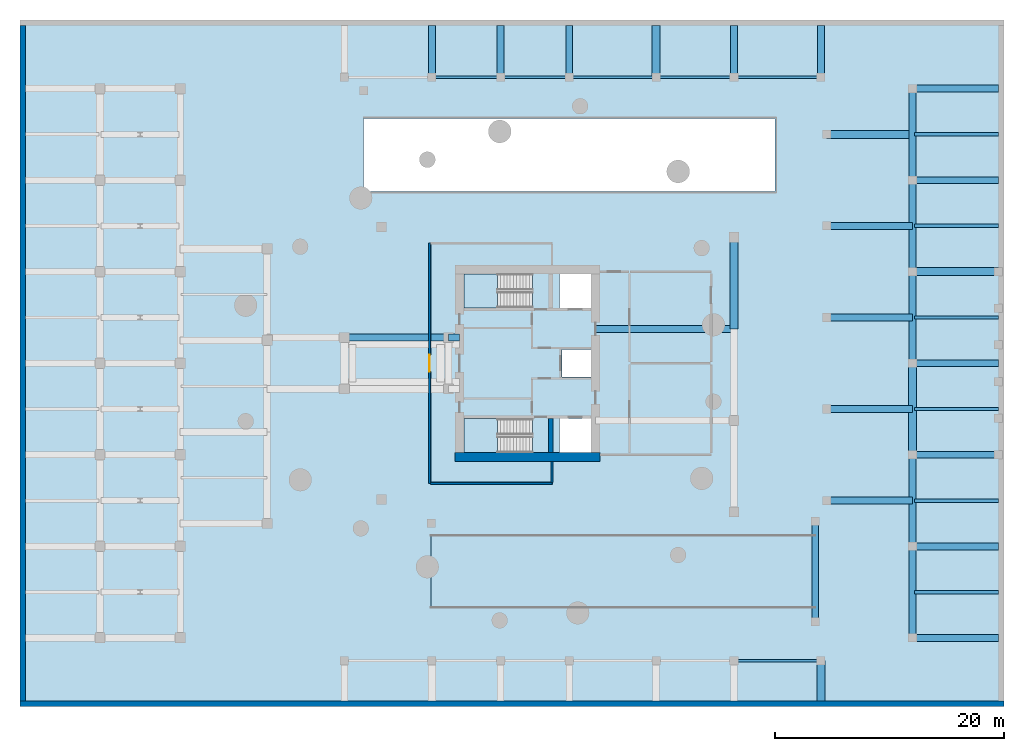
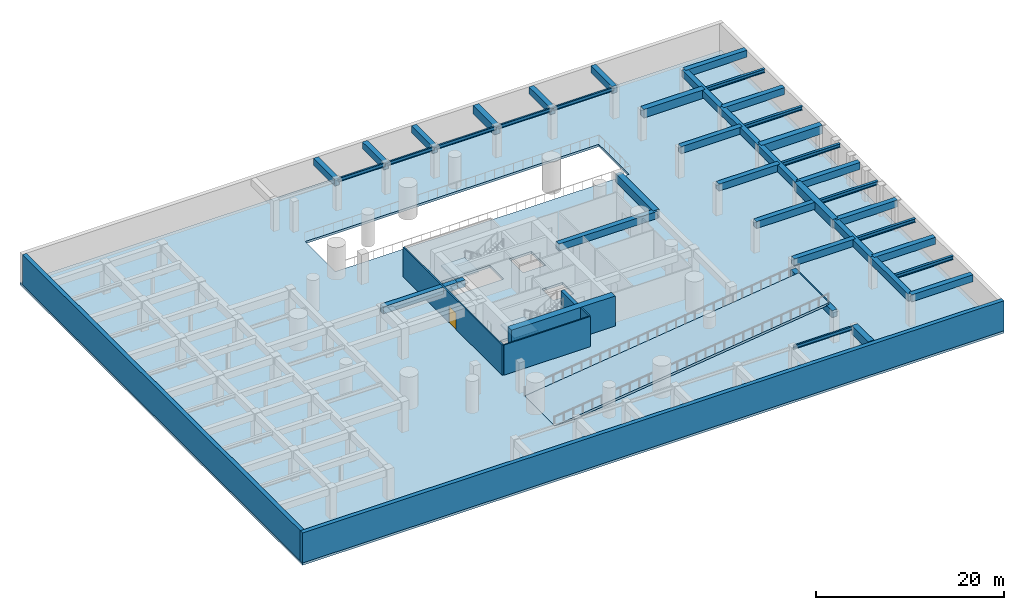
# One storey, part 5 of 10: 42 beams, 7 walls, 4 slabs, 1 door, 1 opening, 2 elements without a shape of their own.
"""IFC4 building model written with IfcOpenShell, lengths in metres."""

from ifc_helpers import new_model, si_unit, direction, frame, frame_2d, origin, origin_2d, place, context, subcontext, project, spatial, polyline, rectangle, i_section, outline, extrude, source, transform, mapped, material, layer, layer_set, material_profile, profile_set, type_object, element, fill, aggregate, save


model = new_model("IFC4")

# Units and contexts
model_context = context("Model", 3, precision=1e-05, world=origin(), true_north=direction((0.0, 1.0)))
body_context = subcontext(model_context, "Body", "Model", "MODEL_VIEW")
ifc_project = project(units=[si_unit("LENGTHUNIT", "METRE"), si_unit("AREAUNIT", "SQUARE_METRE"), si_unit("VOLUMEUNIT", "CUBIC_METRE"), si_unit("PLANEANGLEUNIT", "RADIAN"), si_unit("MASSUNIT", "GRAM", prefix="KILO")], contexts=[model_context])

# Site, building, storey
site_placement = place(None, origin())
site = spatial("IfcSite", under=ifc_project, at=site_placement, CompositionType="ELEMENT")
building_placement = place(site_placement, origin())
building = spatial("IfcBuilding", under=site, at=building_placement, Name="Qafzar Sky-Pleat Residences", CompositionType="ELEMENT")
storey_placement = place(building_placement, frame((0.0, 0.0, -4.199951171875)))
storey = spatial("IfcBuildingStorey", under=building, at=storey_placement, Name="B01", CompositionType="ELEMENT", Elevation=-4.199951171875)

# Beams
ifc_material_1 = material(Name="Concrete C50/60", Category="concrete")
ifc_material_profile_1 = material_profile(ifc_material_1, rectangle(XDim=0.60009765625, YDim=0.89990234375, at=origin_2d()), Name="RC 600x900")
ifc_profile_set_1 = profile_set([ifc_material_profile_1], Name="Concrete C50/60")
beam_type_1 = type_object("IfcBeamType", Name="BM-RC-600x900", PredefinedType="BEAM", material=ifc_profile_set_1)
shared_shape_1 = source(origin(), body_context, "Body", "SweptSolid", [
    extrude(rectangle(XDim=0.60009765625, YDim=0.89990234375, at=origin_2d()), origin(), (0.0, 0.0, 1.0), 8.0),
])
for number, where, z_axis, x_axis, name in (
    (1, (64.0, 2.0, 3.534912109375), (0.0, 1.0, 0.0), (-1.0, 0.0, 0.0), "B01 Basement Girder 63"),
    (2, (64.0, 10.0, 3.534912109375), (0.0, 1.0, 0.0), (-1.0, 0.0, 0.0), "B01 Basement Girder 64"),
    (3, (64.0, 26.0, 3.534912109375), (0.0, 1.0, 0.0), (-1.0, 0.0, 0.0), "B01 Basement Girder 66"),
    (4, (64.0, 34.0, 3.534912109375), (0.0, 1.0, 0.0), (-1.0, 0.0, 0.0), "B01 Basement Girder 67"),
    (5, (64.0, 42.0, 3.534912109375), (0.0, 1.0, 0.0), (-1.0, 0.0, 0.0), "B01 Basement Girder 68"),
):
    element("IfcBeam", number, at=place(storey_placement, frame(where, z_axis=z_axis, x_axis=x_axis)), inside=storey, type_object=beam_type_1, Name=name, PredefinedType="BEAM", context=body_context, shape_type="MappedRepresentation", body=[
        mapped(shared_shape_1, transform((0.0, 0.0, 0.0), x_axis=(1.0, 0.0, 0.0), y_axis=(0.0, 1.0, 0.0), z_axis=(0.0, 0.0, 1.0), scale=1.0)),
    ])
ifc_material_profile_2 = material_profile(ifc_material_1, rectangle(XDim=0.699951171875, YDim=1.10009765625, at=origin_2d()), Name="RC 700x1100")
ifc_profile_set_2 = profile_set([ifc_material_profile_2], Name="Concrete C50/60")
beam_type_2 = type_object("IfcBeamType", Name="BM-RC-700x1100", PredefinedType="BEAM", material=ifc_profile_set_2)
shared_shape_2 = source(origin(), body_context, "Body", "SweptSolid", [
    extrude(rectangle(XDim=0.699951171875, YDim=1.10009765625, at=origin_2d()), origin(), (0.0, 0.0, 1.0), 8.0),
])
for number, where, z_axis, x_axis, name in (
    (6, (48.39990234375, 29.0, 3.349853515625), (0.0, 1.0, 0.0), (-1.0, 0.0, 0.0), "B01 Basement Girder 50"),
    (7, (64.0, 18.0, 3.43505859375), (0.0, 1.0, 0.0), (-1.0, 0.0, 0.0), "B01 Basement Girder 65"),
):
    element("IfcBeam", number, at=place(storey_placement, frame(where, z_axis=z_axis, x_axis=x_axis)), inside=storey, type_object=beam_type_2, Name=name, PredefinedType="BEAM", context=body_context, shape_type="MappedRepresentation", body=[
        mapped(shared_shape_2, transform((0.0, 0.0, 0.0), x_axis=(1.0, 0.0, 0.0), y_axis=(0.0, 1.0, 0.0), z_axis=(0.0, 0.0, 1.0), scale=1.0)),
    ])
shared_shape_3 = source(origin(), body_context, "Body", "SweptSolid", [
    extrude(rectangle(XDim=0.60009765625, YDim=0.89990234375, at=origin_2d()), origin(), (0.0, 0.0, 1.0), 0.949951171875),
])
beam_1_placement = place(storey_placement, frame((23.449951171875, 28.25, 3.449951171875), z_axis=(1.0, 0.0, 0.0), x_axis=(0.0, 1.0, 0.0)))
element("IfcBeam", 8, at=beam_1_placement, inside=storey, type_object=beam_type_1, Name="B01 Basement Girder 39", PredefinedType="BEAM", context=body_context, shape_type="MappedRepresentation", body=[
    mapped(shared_shape_3, transform((0.0, 0.0, 0.0), x_axis=(1.0, 0.0, 0.0), y_axis=(0.0, 1.0, 0.0), z_axis=(0.0, 0.0, 1.0), scale=1.0)),
])
shared_shape_4 = source(origin(), body_context, "Body", "SweptSolid", [
    extrude(rectangle(XDim=0.60009765625, YDim=0.89990234375, at=origin_2d()), origin(), (0.0, 0.0, 1.0), 9.099853515625),
])
beam_2_placement = place(storey_placement, frame((14.35009765625, 28.25, 3.449951171875), z_axis=(1.0, 0.0, 0.0), x_axis=(0.0, 1.0, 0.0)))
element("IfcBeam", 9, at=beam_2_placement, inside=storey, type_object=beam_type_1, Name="B01 Basement Girder 38", PredefinedType="BEAM", context=body_context, shape_type="MappedRepresentation", body=[
    mapped(shared_shape_4, transform((0.0, 0.0, 0.0), x_axis=(1.0, 0.0, 0.0), y_axis=(0.0, 1.0, 0.0), z_axis=(0.0, 0.0, 1.0), scale=1.0)),
])
shared_shape_5 = source(origin(), body_context, "Body", "SweptSolid", [
    extrude(rectangle(XDim=0.699951171875, YDim=1.10009765625, at=origin_2d()), origin(), (0.0, 0.0, 1.0), 4.5),
])
beam_3_placement = place(storey_placement, frame((41.60009765625, 51.0, 3.349853515625), z_axis=(0.0, 1.0, 0.0), x_axis=(-1.0, 0.0, 0.0)))
element("IfcBeam", 10, at=beam_3_placement, inside=storey, type_object=beam_type_2, Name="B01 Basement Girder 80", PredefinedType="BEAM", context=body_context, shape_type="MappedRepresentation", body=[
    mapped(shared_shape_5, transform((0.0, 0.0, 0.0), x_axis=(1.0, 0.0, 0.0), y_axis=(0.0, 1.0, 0.0), z_axis=(0.0, 0.0, 1.0), scale=1.0)),
])
shared_shape_6 = source(origin(), body_context, "Body", "SweptSolid", [
    extrude(rectangle(XDim=0.60009765625, YDim=0.89990234375, at=origin_2d()), origin(), (0.0, 0.0, 1.0), 4.5),
])
for number, where, z_axis, x_axis, name in (
    (11, (22.0, 51.0, 3.449951171875), (0.0, 1.0, 0.0), (-1.0, 0.0, 0.0), "B01 Basement Girder 77"),
    (12, (28.0, 51.0, 3.449951171875), (0.0, 1.0, 0.0), (-1.0, 0.0, 0.0), "B01 Basement Girder 78"),
    (13, (34.0, 51.0, 3.449951171875), (0.0, 1.0, 0.0), (-1.0, 0.0, 0.0), "B01 Basement Girder 79"),
    (14, (48.39990234375, 51.0, 3.449951171875), (0.0, 1.0, 0.0), (-1.0, 0.0, 0.0), "B01 Basement Girder 81"),
    (15, (56.0, 51.0, 3.534912109375), (0.0, 1.0, 0.0), (-1.0, 0.0, 0.0), "B01 Basement Girder 82"),
):
    element("IfcBeam", number, at=place(storey_placement, frame(where, z_axis=z_axis, x_axis=x_axis)), inside=storey, type_object=beam_type_1, Name=name, PredefinedType="BEAM", context=body_context, shape_type="MappedRepresentation", body=[
        mapped(shared_shape_6, transform((0.0, 0.0, 0.0), x_axis=(1.0, 0.0, 0.0), y_axis=(0.0, 1.0, 0.0), z_axis=(0.0, 0.0, 1.0), scale=1.0)),
    ])
shared_shape_7 = source(origin(), body_context, "Body", "SweptSolid", [
    extrude(rectangle(XDim=0.60009765625, YDim=0.89990234375, at=origin_2d()), origin(), (0.0, 0.0, 1.0), 12.099853515625),
])
beam_4_placement = place(storey_placement, frame((36.300048828125, 29.0, 3.449951171875), z_axis=(1.0, 0.0, 0.0), x_axis=(0.0, 1.0, 0.0)))
element("IfcBeam", 16, at=beam_4_placement, inside=storey, type_object=beam_type_1, Name="B01 Basement Girder 47", PredefinedType="BEAM", context=body_context, shape_type="MappedRepresentation", body=[
    mapped(shared_shape_7, transform((0.0, 0.0, 0.0), x_axis=(1.0, 0.0, 0.0), y_axis=(0.0, 1.0, 0.0), z_axis=(0.0, 0.0, 1.0), scale=1.0)),
])
shared_shape_8 = source(origin(), body_context, "Body", "SweptSolid", [
    extrude(rectangle(XDim=0.60009765625, YDim=0.89990234375, at=origin_2d()), origin(), (0.0, 0.0, 1.0), 7.5),
])
for number, where, z_axis, x_axis, name in (
    (17, (56.5, 14.0, 3.534912109375), (1.0, 0.0, 0.0), (0.0, 1.0, 0.0), "B01 Basement Girder 51"),
    (18, (56.5, 22.0, 3.534912109375), (1.0, 0.0, 0.0), (0.0, 1.0, 0.0), "B01 Basement Girder 52"),
    (19, (56.5, 30.0, 3.534912109375), (1.0, 0.0, 0.0), (0.0, 1.0, 0.0), "B01 Basement Girder 53"),
    (20, (56.5, 38.0, 3.534912109375), (1.0, 0.0, 0.0), (0.0, 1.0, 0.0), "B01 Basement Girder 54"),
    (21, (64.0, 2.0, 3.534912109375), (1.0, 0.0, 0.0), (0.0, 1.0, 0.0), "B01 Basement Girder 56"),
    (22, (64.0, 10.0, 3.534912109375), (1.0, 0.0, 0.0), (0.0, 1.0, 0.0), "B01 Basement Girder 57"),
    (23, (64.0, 18.0, 3.534912109375), (1.0, 0.0, 0.0), (0.0, 1.0, 0.0), "B01 Basement Girder 58"),
    (24, (64.0, 26.0, 3.534912109375), (1.0, 0.0, 0.0), (0.0, 1.0, 0.0), "B01 Basement Girder 59"),
    (25, (64.0, 42.0, 3.534912109375), (1.0, 0.0, 0.0), (0.0, 1.0, 0.0), "B01 Basement Girder 61"),
    (26, (64.0, 50.0, 3.534912109375), (1.0, 0.0, 0.0), (0.0, 1.0, 0.0), "B01 Basement Girder 62"),
):
    element("IfcBeam", number, at=place(storey_placement, frame(where, z_axis=z_axis, x_axis=x_axis)), inside=storey, type_object=beam_type_1, Name=name, PredefinedType="BEAM", context=body_context, shape_type="MappedRepresentation", body=[
        mapped(shared_shape_8, transform((0.0, 0.0, 0.0), x_axis=(1.0, 0.0, 0.0), y_axis=(0.0, 1.0, 0.0), z_axis=(0.0, 0.0, 1.0), scale=1.0)),
    ])
shared_shape_9 = source(origin(), body_context, "Body", "SweptSolid", [
    extrude(rectangle(XDim=0.699951171875, YDim=1.10009765625, at=origin_2d()), origin(), (0.0, 0.0, 1.0), 7.5),
])
for number, where, z_axis, x_axis, name in (
    (27, (56.5, 46.0, 3.43505859375), (1.0, 0.0, 0.0), (0.0, 1.0, 0.0), "B01 Basement Girder 55"),
    (28, (64.0, 34.0, 3.43505859375), (1.0, 0.0, 0.0), (0.0, 1.0, 0.0), "B01 Basement Girder 60"),
):
    element("IfcBeam", number, at=place(storey_placement, frame(where, z_axis=z_axis, x_axis=x_axis)), inside=storey, type_object=beam_type_2, Name=name, PredefinedType="BEAM", context=body_context, shape_type="MappedRepresentation", body=[
        mapped(shared_shape_9, transform((0.0, 0.0, 0.0), x_axis=(1.0, 0.0, 0.0), y_axis=(0.0, 1.0, 0.0), z_axis=(0.0, 0.0, 1.0), scale=1.0)),
    ])
shared_shape_10 = source(origin(), body_context, "Body", "SweptSolid", [
    extrude(rectangle(XDim=0.699951171875, YDim=1.10009765625, at=origin_2d()), origin(), (0.0, 0.0, 1.0), 3.5),
])
beam_5_placement = place(storey_placement, frame((56.0, -3.5, 3.43505859375), z_axis=(0.0, 1.0, 0.0), x_axis=(-1.0, 0.0, 0.0)))
element("IfcBeam", 29, at=beam_5_placement, inside=storey, type_object=beam_type_2, Name="B01 Basement Girder 75", PredefinedType="BEAM", context=body_context, shape_type="MappedRepresentation", body=[
    mapped(shared_shape_10, transform((0.0, 0.0, 0.0), x_axis=(1.0, 0.0, 0.0), y_axis=(0.0, 1.0, 0.0), z_axis=(0.0, 0.0, 1.0), scale=1.0)),
])
shared_shape_11 = source(origin(), body_context, "Body", "SweptSolid", [
    extrude(rectangle(XDim=0.60009765625, YDim=0.89990234375, at=origin_2d()), origin(), (0.0, 0.0, 1.0), 8.800048828125),
])
beam_6_placement = place(storey_placement, frame((55.5, 3.39990234375, 3.534912109375), z_axis=(0.0, 1.0, 0.0), x_axis=(-1.0, 0.0, 0.0)))
element("IfcBeam", 30, at=beam_6_placement, inside=storey, type_object=beam_type_1, Name="B01 Basement Girder 83", PredefinedType="BEAM", context=body_context, shape_type="MappedRepresentation", body=[
    mapped(shared_shape_11, transform((0.0, 0.0, 0.0), x_axis=(1.0, 0.0, 0.0), y_axis=(0.0, 1.0, 0.0), z_axis=(0.0, 0.0, 1.0), scale=1.0)),
])
ifc_material_2 = material(Name="Steel S355", Category="steel")
ifc_material_profile_3 = material_profile(ifc_material_2, i_section(OverallWidth=0.300048828125, OverallDepth=0.489990234375, WebThickness=0.011962890625, FlangeThickness=0.02294921875, FilletRadius=0.027099609375, at=origin_2d()), Name="HEA 500")
ifc_profile_set_3 = profile_set([ifc_material_profile_3], Name="Steel S355")
beam_type_3 = type_object("IfcBeamType", Name="BM-BASE-HEA500", PredefinedType="BEAM", material=ifc_profile_set_3)
shared_shape_12 = source(origin(), body_context, "Body", "SweptSolid", [
    extrude(i_section(OverallWidth=0.300048828125, OverallDepth=0.489990234375, WebThickness=0.011962890625, FlangeThickness=0.02294921875, FilletRadius=0.027099609375, at=origin_2d()), origin(), (0.0, 0.0, 1.0), 7.320068359375),
])
for number, where, z_axis, x_axis, name in (
    (31, (64.179931640625, 6.0, 3.65283203125), (1.0, 0.0, 0.0), (0.0, 1.0, 0.0), "B01 Basement Secondary Steel Beam 10"),
    (32, (64.179931640625, 14.0, 3.65283203125), (1.0, 0.0, 0.0), (0.0, 1.0, 0.0), "B01 Basement Secondary Steel Beam 11"),
    (33, (64.179931640625, 22.0, 3.65283203125), (1.0, 0.0, 0.0), (0.0, 1.0, 0.0), "B01 Basement Secondary Steel Beam 12"),
    (34, (64.179931640625, 30.0, 3.65283203125), (1.0, 0.0, 0.0), (0.0, 1.0, 0.0), "B01 Basement Secondary Steel Beam 13"),
    (35, (64.179931640625, 38.0, 3.65283203125), (1.0, 0.0, 0.0), (0.0, 1.0, 0.0), "B01 Basement Secondary Steel Beam 14"),
    (36, (64.179931640625, 46.0, 3.65283203125), (1.0, 0.0, 0.0), (0.0, 1.0, 0.0), "B01 Basement Secondary Steel Beam 15"),
):
    element("IfcBeam", number, at=place(storey_placement, frame(where, z_axis=z_axis, x_axis=x_axis)), inside=storey, type_object=beam_type_3, Name=name, PredefinedType="BEAM", context=body_context, shape_type="MappedRepresentation", body=[
        mapped(shared_shape_12, transform((0.0, 0.0, 0.0), x_axis=(1.0, 0.0, 0.0), y_axis=(0.0, 1.0, 0.0), z_axis=(0.0, 0.0, 1.0), scale=1.0)),
    ])
ifc_material_profile_4 = material_profile(ifc_material_2, i_section(OverallWidth=0.18994140625, OverallDepth=0.449951171875, WebThickness=0.009521484375, FlangeThickness=0.0146484375, FilletRadius=0.02099609375, at=origin_2d()), Name="IPE 450")
ifc_profile_set_4 = profile_set([ifc_material_profile_4], Name="Steel S355")
beam_type_4 = type_object("IfcBeamType", Name="BM-SEC-IPE450", PredefinedType="BEAM", material=ifc_profile_set_4)
shared_shape_13 = source(origin(), body_context, "Body", "SweptSolid", [
    extrude(i_section(OverallWidth=0.18994140625, OverallDepth=0.449951171875, WebThickness=0.009521484375, FlangeThickness=0.0146484375, FilletRadius=0.02099609375, at=origin_2d()), origin(), (0.0, 0.0, 1.0), 5.81982421875),
])
for number, where, z_axis, x_axis, name in (
    (37, (22.090087890625, 51.0, 3.6728515625), (1.0, 0.0, 0.0), (0.0, 1.0, 0.0), "B01 Basement Secondary Steel Beam 23"),
    (38, (28.090087890625, 51.0, 3.6728515625), (1.0, 0.0, 0.0), (0.0, 1.0, 0.0), "B01 Basement Secondary Steel Beam 24"),
):
    element("IfcBeam", number, at=place(storey_placement, frame(where, z_axis=z_axis, x_axis=x_axis)), inside=storey, type_object=beam_type_4, Name=name, PredefinedType="BEAM", context=body_context, shape_type="MappedRepresentation", body=[
        mapped(shared_shape_13, transform((0.0, 0.0, 0.0), x_axis=(1.0, 0.0, 0.0), y_axis=(0.0, 1.0, 0.0), z_axis=(0.0, 0.0, 1.0), scale=1.0)),
    ])
shared_shape_14 = source(origin(), body_context, "Body", "SweptSolid", [
    extrude(i_section(OverallWidth=0.18994140625, OverallDepth=0.449951171875, WebThickness=0.009521484375, FlangeThickness=0.0146484375, FilletRadius=0.02099609375, at=origin_2d()), origin(), (0.0, 0.0, 1.0), 7.419921875),
])
for number, where, z_axis, x_axis, name in (
    (39, (48.489990234375, 0.0, 3.6728515625), (1.0, 0.0, 0.0), (0.0, 1.0, 0.0), "B01 Basement Secondary Steel Beam 21"),
    (40, (34.090087890625, 51.0, 3.6728515625), (1.0, 0.0, 0.0), (0.0, 1.0, 0.0), "B01 Basement Secondary Steel Beam 25"),
    (41, (48.489990234375, 51.0, 3.6728515625), (1.0, 0.0, 0.0), (0.0, 1.0, 0.0), "B01 Basement Secondary Steel Beam 27"),
):
    element("IfcBeam", number, at=place(storey_placement, frame(where, z_axis=z_axis, x_axis=x_axis)), inside=storey, type_object=beam_type_4, Name=name, PredefinedType="BEAM", context=body_context, shape_type="MappedRepresentation", body=[
        mapped(shared_shape_14, transform((0.0, 0.0, 0.0), x_axis=(1.0, 0.0, 0.0), y_axis=(0.0, 1.0, 0.0), z_axis=(0.0, 0.0, 1.0), scale=1.0)),
    ])
shared_shape_15 = source(origin(), body_context, "Body", "SweptSolid", [
    extrude(i_section(OverallWidth=0.18994140625, OverallDepth=0.449951171875, WebThickness=0.009521484375, FlangeThickness=0.0146484375, FilletRadius=0.02099609375, at=origin_2d()), origin(), (0.0, 0.0, 1.0), 6.6201171875),
])
beam_7_placement = place(storey_placement, frame((41.68994140625, 51.0, 3.6728515625), z_axis=(1.0, 0.0, 0.0), x_axis=(0.0, 1.0, 0.0)))
element("IfcBeam", 42, at=beam_7_placement, inside=storey, type_object=beam_type_4, Name="B01 Basement Secondary Steel Beam 26", PredefinedType="BEAM", context=body_context, shape_type="MappedRepresentation", body=[
    mapped(shared_shape_15, transform((0.0, 0.0, 0.0), x_axis=(1.0, 0.0, 0.0), y_axis=(0.0, 1.0, 0.0), z_axis=(0.0, 0.0, 1.0), scale=1.0)),
])

# Slab
ifc_material_3 = material(Name="Concrete C40/50", Category="concrete")
ifc_layer_1 = layer(ifc_material_3, 0.300048828125)
ifc_layer_set_1 = layer_set([ifc_layer_1], Name="Concrete C40/50")
slab_type_1 = type_object("IfcSlabType", Name="SLAB-FLR-300", PredefinedType="FLOOR", material=ifc_layer_set_1)
slab_1_placement = place(storey_placement, frame((0.0, 0.0, -0.300048828125)))
element("IfcSlab", 43, at=slab_1_placement, inside=storey, type_object=slab_type_1, Name="B01 Car Park Suspended Slab", PredefinedType="FLOOR", context=body_context, shape_type="SweptSolid", body=[
    extrude(outline(polyline([(-14.0, -4.0), (72.0, -4.0), (72.0, 56.0), (-14.0, 56.0), (-14.0, -4.0)]), holes=[polyline([(30.797119140625, 21.14990234375), (24.800048828125, 21.14990234375), (24.800048828125, 18.199951171875), (30.797119140625, 18.199951171875), (30.797119140625, 21.14990234375)]), polyline([(30.797119140625, 33.800048828125), (24.800048828125, 33.800048828125), (24.800048828125, 30.85009765625), (30.797119140625, 30.85009765625), (30.797119140625, 33.800048828125)]), polyline([(33.14990234375, 18.199951171875), (35.89990234375, 18.199951171875), (35.89990234375, 21.14990234375), (33.14990234375, 21.14990234375), (33.14990234375, 18.199951171875)]), polyline([(33.14990234375, 30.85009765625), (35.89990234375, 30.85009765625), (35.89990234375, 33.800048828125), (33.14990234375, 33.800048828125), (33.14990234375, 30.85009765625)]), polyline([(33.35009765625, 24.800048828125), (35.89990234375, 24.800048828125), (35.89990234375, 27.199951171875), (33.35009765625, 27.199951171875), (33.35009765625, 24.800048828125)]), polyline([(16.0, 41.0), (52.0, 41.0), (52.0, 47.39990234375), (16.0, 47.39990234375), (16.0, 41.0)]), polyline([(21.89990234375, 4.60009765625), (24.39990234375, 4.60009765625), (24.39990234375, 11.0), (21.89990234375, 11.0), (21.89990234375, 4.60009765625)])]), origin(), (0.0, 0.0, 1.0), 0.300048828125),
])

# Stair, slab
stair_type = type_object("IfcStairType", Name="STAIR-H420", PredefinedType="HALF_TURN_STAIR", material=ifc_material_3)
stair_1_placement = place(storey_placement, origin())
stair_1 = element("IfcStair", 44, at=stair_1_placement, inside=storey, type_object=stair_type, Name="B01 Protected Exit Stair ST1", PredefinedType="HALF_TURN_STAIR")
ifc_layer_2 = layer(ifc_material_3, 0.199951171875)
ifc_layer_set_2 = layer_set([ifc_layer_2], Name="Concrete C40/50")
slab_type_2 = type_object("IfcSlabType", Name="SLAB-LANDING-200", PredefinedType="LANDING", material=ifc_layer_set_2)
slab_2_placement = place(storey_placement, frame((0.0, 0.0, 1.89990234375)))
slab_2 = element("IfcSlab", 45, at=slab_2_placement, type_object=slab_type_2, Name="ST1 landing 1", PredefinedType="LANDING", context=body_context, shape_type="SweptSolid", body=[
    extrude(outline(polyline([(27.719970703125, 21.14990234375), (24.800048828125, 21.14990234375), (24.800048828125, 18.199951171875), (27.719970703125, 18.199951171875), (27.719970703125, 21.14990234375)])), origin(), (0.0, 0.0, 1.0), 0.199951171875),
])
aggregate(stair_1, [slab_2])

stair_2_placement = place(storey_placement, origin())
stair_2 = element("IfcStair", 46, at=stair_2_placement, inside=storey, type_object=stair_type, Name="B01 Protected Exit Stair ST2", PredefinedType="HALF_TURN_STAIR")
slab_3_placement = place(storey_placement, frame((0.0, 0.0, 1.89990234375)))
slab_3 = element("IfcSlab", 47, at=slab_3_placement, type_object=slab_type_2, Name="ST2 landing 1", PredefinedType="LANDING", context=body_context, shape_type="SweptSolid", body=[
    extrude(outline(polyline([(27.719970703125, 33.800048828125), (24.800048828125, 33.800048828125), (24.800048828125, 30.85009765625), (27.719970703125, 30.85009765625), (27.719970703125, 33.800048828125)])), origin(), (0.0, 0.0, 1.0), 0.199951171875),
])
aggregate(stair_2, [slab_3])

# Slab
ifc_layer_3 = layer(ifc_material_3, 0.300048828125)
ifc_layer_set_3 = layer_set([ifc_layer_3], Name="Concrete C40/50")
slab_type_3 = type_object("IfcSlabType", Name="SLAB-RAMP-300", PredefinedType="FLOOR", material=ifc_layer_set_3)
slab_4_placement = place(storey_placement, frame((21.89990234375, 4.60009765625, 0.0), z_axis=(-0.124032959829, 0.0, 0.992278098557), x_axis=(0.992278098557, 0.0, 0.124032959829)))
element("IfcSlab", 48, at=slab_4_placement, inside=storey, type_object=slab_type_3, Name="Car park vehicle ramp slab RMP-1", PredefinedType="FLOOR", context=body_context, shape_type="SweptSolid", body=[
    extrude(outline(polyline([(0.0, 0.0), (33.86157338866094, 0.0), (33.86157338866094, 6.39990234375), (0.0, 6.39990234375), (0.0, 0.0)])), origin(), (0.0, 0.0, -1.0), 0.300048828125),
])

# Wall, opening, door
ifc_material_4 = material(Name="Acoustic gypsum plasterboard partition", Category="gypsum")
ifc_layer_4 = layer(ifc_material_4, 0.159912109375)
ifc_layer_set_4 = layer_set([ifc_layer_4], Name="Acoustic gypsum plasterboard partition")
wall_type_1 = type_object("IfcWallType", Name="PART-COR-160", PredefinedType="PARTITIONING", material=ifc_layer_set_4)
wall_1_placement = place(storey_placement, frame((21.800048828125, 15.5, 0.0), z_axis=(0.0, 0.0, 1.0), x_axis=(0.0, 1.0, 0.0)))
wall_1 = element("IfcWall", 49, at=wall_1_placement, inside=storey, type_object=wall_type_1, Name="B01 Partition Wall PART-B01-PW-001", PredefinedType="PARTITIONING", context=body_context, shape_type="SweptSolid", body=[
    extrude(rectangle(XDim=21.0, YDim=0.159912109375, at=frame_2d((10.5, 0.0))), origin(), (0.0, 0.0, 1.0), 3.89990234375),
])
opening_placement = place(wall_1_placement, frame((9.75, 0.0, 0.0)))
opening = element("IfcOpeningElement", 50, at=opening_placement, cuts=wall_1, Name="Opening ID-03", PredefinedType="OPENING", context=body_context, shape_type="SweptSolid", body=[
    extrude(rectangle(XDim=1.5, YDim=2.14990234375, at=frame_2d((0.75, 1.074951171875))), frame((0.0, 0.08984375, 0.0), z_axis=(0.0, -1.0, 0.0), x_axis=(1.0, 0.0, 0.0)), (0.0, 0.0, 1.0), 0.179931640625),
])
ifc_material_5 = material(Name="Timber-faced fire door", Category="wood")
door_type = type_object("IfcDoorType", Name="DR-COR-1500", OperationType="DOUBLE_DOOR_SINGLE_SWING", PredefinedType="DOOR", material=ifc_material_5)
shared_shape_16 = source(origin(), body_context, "Body", "SweptSolid", [
    extrude(rectangle(XDim=1.5, YDim=2.14990234375, at=frame_2d((0.75, 1.074951171875))), frame((0.0, 0.02490234375, 0.0), z_axis=(0.0, -1.0, 0.0), x_axis=(1.0, 0.0, 0.0)), (0.0, 0.0, 1.0), 0.050048828125),
])
door_placement = place(opening_placement, origin())
door = element("IfcDoor", 51, at=door_placement, inside=storey, type_object=door_type, Name="B01 Car Park Lift Lobby Door", OperationType="DOUBLE_DOOR_SINGLE_SWING", OverallHeight=2.14990234375, OverallWidth=1.5, PredefinedType="DOOR", context=body_context, shape_type="MappedRepresentation", body=[
    mapped(shared_shape_16, transform((0.0, 0.0, 0.0), x_axis=(1.0, 0.0, 0.0), y_axis=(0.0, 1.0, 0.0), z_axis=(0.0, 0.0, 1.0), scale=1.0)),
])
fill(opening, door)

# Walls
wall_2_placement = place(storey_placement, frame((21.887939453125, 15.5, 0.0), z_axis=(0.0, 0.0, 1.0), x_axis=(1.0, 0.0, 0.0)))
element("IfcWall", 52, at=wall_2_placement, inside=storey, type_object=wall_type_1, Name="B01 Partition Wall PART-B01-PW-002", PredefinedType="PARTITIONING", context=body_context, shape_type="SweptSolid", body=[
    extrude(rectangle(XDim=10.612060546875, YDim=0.159912109375, at=frame_2d((5.30615234375, 0.0))), origin(), (0.0, 0.0, 1.0), 3.89990234375),
])
wall_3_placement = place(storey_placement, frame((32.5, 15.587890625, 0.0), z_axis=(0.0, 0.0, 1.0), x_axis=(0.0, 1.0, 0.0)))
element("IfcWall", 53, at=wall_3_placement, inside=storey, type_object=wall_type_1, Name="B01 Partition Wall PART-B01-PW-003", PredefinedType="PARTITIONING", context=body_context, shape_type="SweptSolid", body=[
    extrude(rectangle(XDim=1.80419921875, YDim=0.159912109375, at=frame_2d((0.902099609375, 0.0))), origin(), (0.0, 0.0, 1.0), 3.89990234375),
])
ifc_material_6 = material(Name="Concrete C60/75", Category="concrete")
ifc_layer_5 = layer(ifc_material_6, 0.5)
ifc_layer_set_5 = layer_set([ifc_layer_5], Name="Concrete C60/75")
wall_type_2 = type_object("IfcWallType", Name="WALL-RET-500", PredefinedType="SOLIDWALL", material=ifc_layer_set_5)
wall_4_placement = place(storey_placement, frame((-14.0, -3.75, 0.0), z_axis=(0.0, 0.0, 1.0), x_axis=(1.0, 0.0, 0.0)))
element("IfcWall", 54, at=wall_4_placement, inside=storey, type_object=wall_type_2, Name="B01 RET wall S", PredefinedType="SOLIDWALL", context=body_context, shape_type="SweptSolid", body=[
    extrude(rectangle(XDim=86.0, YDim=0.5, at=frame_2d((43.0, 0.0))), origin(), (0.0, 0.0, 1.0), 3.89990234375),
])
wall_5_placement = place(storey_placement, frame((-13.75, 55.5, 0.0), z_axis=(0.0, 0.0, 1.0), x_axis=(0.0, -1.0, 0.0)))
element("IfcWall", 55, at=wall_5_placement, inside=storey, type_object=wall_type_2, Name="B01 RET wall W", PredefinedType="SOLIDWALL", context=body_context, shape_type="SweptSolid", body=[
    extrude(rectangle(XDim=59.0, YDim=0.5, at=frame_2d((29.5, 0.0))), origin(), (0.0, 0.0, 1.0), 3.89990234375),
])
ifc_layer_6 = layer(ifc_material_6, 0.39990234375)
ifc_layer_set_6 = layer_set([ifc_layer_6], Name="Concrete C60/75")
wall_type_3 = type_object("IfcWallType", Name="WALL-SHEAR-400", PredefinedType="SHEAR", material=ifc_layer_set_6)
wall_6_placement = place(storey_placement, frame((32.39990234375, 18.199951171875, 0.0), z_axis=(0.0, 0.0, 1.0), x_axis=(0.0, 1.0, 0.0)))
element("IfcWall", 56, at=wall_6_placement, inside=storey, type_object=wall_type_3, Name="B01 Stair ST1 East Dividing Wall", PredefinedType="SHEAR", context=body_context, shape_type="SweptSolid", body=[
    extrude(rectangle(XDim=2.949951171875, YDim=0.39990234375, at=frame_2d((1.47509765625, 0.0))), origin(), (0.0, 0.0, 1.0), 3.89990234375),
])
ifc_layer_7 = layer(ifc_material_6, 0.800048828125)
ifc_layer_set_7 = layer_set([ifc_layer_7], Name="Concrete C60/75")
wall_type_4 = type_object("IfcWallType", Name="WALL-SHEAR-800", PredefinedType="SHEAR", material=ifc_layer_set_7)
wall_7_placement = place(storey_placement, frame((24.0, 17.800048828125, 0.0), z_axis=(0.0, 0.0, 1.0), x_axis=(1.0, 0.0, 0.0)))
element("IfcWall", 57, at=wall_7_placement, inside=storey, type_object=wall_type_4, Name="B01 CORE wall S", PredefinedType="SHEAR", context=body_context, shape_type="SweptSolid", body=[
    extrude(rectangle(XDim=12.699951171875, YDim=0.800048828125, at=frame_2d((6.35009765625, 0.0))), origin(), (0.0, 0.0, 1.0), 3.89990234375),
])

save(model, "model.ifc")
